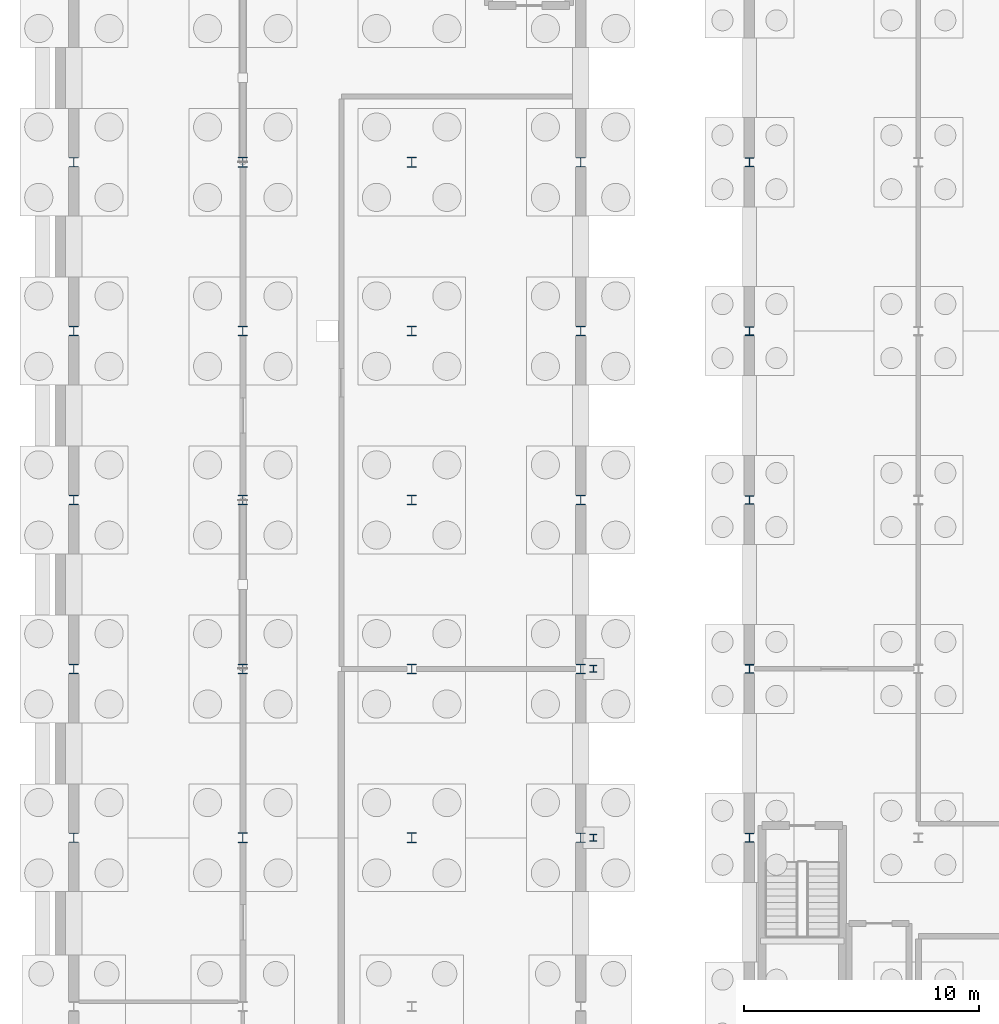
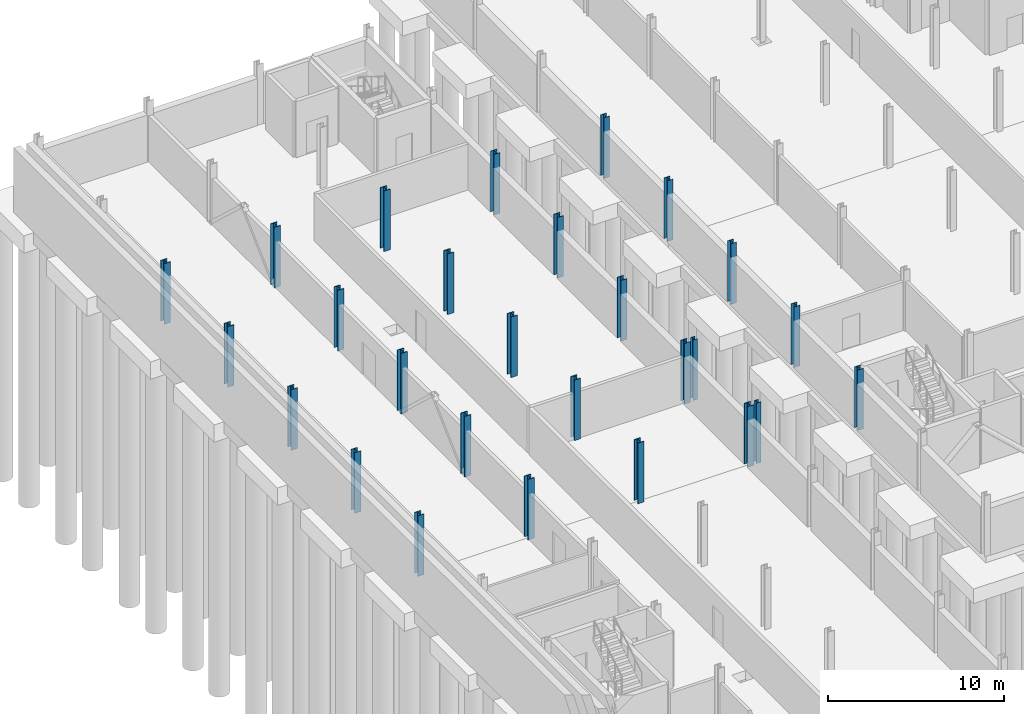
# One storey, part 15 of 50: 27 columns.
"""IFC4 building model written with IfcOpenShell, lengths in metres."""

import ifcopenshell
import ifcopenshell.guid

model = None  # the IFC model being written
_history = None  # IfcOwnerHistory: only IFC2X3 demands one
_inside = {}  # id of a spatial element -> (the spatial element, [elements in it])
_under = {}  # id of a project, library or spatial element -> (it, [spatial elements below it])
_declared = {}  # id of a project -> (the project, [libraries it declares])
_typed = {}  # id of a type object -> (the type object, [elements of that type])
_made_of = {}  # id of a material, layer set ... -> (it, [elements and type objects made of it])


def new_model(schema):
    """Start an empty IFC model of exactly this schema.

    Asked for "IFC4X3", IfcOpenShell would pick the latest addendum, in which some entities
    have other attributes; the version numbers below select the first issue.
    IFC2X3 requires an IfcOwnerHistory on every rooted entity: one is made here for all.
    """
    global model, _history
    if schema == "IFC4X3":
        model = ifcopenshell.file(schema_version=(4, 3, 0, 0))
    else:
        model = ifcopenshell.file(schema=schema)
    _inside.clear()
    _under.clear()
    _declared.clear()
    _typed.clear()
    _made_of.clear()
    _history = None
    if model.schema == "IFC2X3":
        org = make("IfcOrganization", Name="unknown")
        user = make(
            "IfcPersonAndOrganization",
            ThePerson=make("IfcPerson", FamilyName="unknown"),
            TheOrganization=org,
        )
        app = make(
            "IfcApplication",
            ApplicationDeveloper=org,
            Version="unknown",
            ApplicationFullName="unknown",
            ApplicationIdentifier="unknown",
        )
        _history = make(
            "IfcOwnerHistory",
            OwningUser=user,
            OwningApplication=app,
            ChangeAction="ADDED",
            CreationDate=0,
        )
    return model


def make(cls, **values):
    """One entity of the class cls with the attributes given. An attribute that is None is left unset."""
    return model.create_entity(
        cls, **{name: value for name, value in values.items() if value is not None}
    )


def rooted(cls, **values):
    """An entity with a GlobalId (a new one), such as an element, a storey or a relation."""
    return make(cls, GlobalId=ifcopenshell.guid.new(), OwnerHistory=_history, **values)


def si_unit(unit_type, name, prefix=None):
    """IfcSIUnit, for example si_unit("LENGTHUNIT", "METRE", prefix="MILLI")."""
    return make("IfcSIUnit", UnitType=unit_type, Prefix=prefix, Name=name)


def assignment(units):
    """IfcUnitAssignment: the units of a project."""
    return None if units is None else make("IfcUnitAssignment", Units=units)


def point(xyz):
    """IfcCartesianPoint."""
    return None if xyz is None else make("IfcCartesianPoint", Coordinates=xyz)


def direction(xyz):
    """IfcDirection."""
    return None if xyz is None else make("IfcDirection", DirectionRatios=xyz)


def frame(location, z_axis=None, x_axis=None):
    """IfcAxis2Placement3D, a coordinate frame: its origin and axes. An axis left out is left unset."""
    return make(
        "IfcAxis2Placement3D",
        Location=point(location),
        Axis=direction(z_axis),
        RefDirection=direction(x_axis),
    )


def frame_2d(location, x_axis=None):
    """IfcAxis2Placement2D, a coordinate frame in the plane: its origin and x axis."""
    return make(
        "IfcAxis2Placement2D", Location=point(location), RefDirection=direction(x_axis)
    )


def origin():
    """The frame at (0, 0, 0) with its axes left unset."""
    return frame((0.0, 0.0, 0.0))


def origin_2d():
    """The frame at (0, 0) in the plane with its x axis left unset."""
    return frame_2d((0.0, 0.0))


def place(relative_to, where):
    """IfcLocalPlacement: puts the frame where relative to a parent placement (None: the world)."""
    return make(
        "IfcLocalPlacement", PlacementRelTo=relative_to, RelativePlacement=where
    )


def context(
    kind, dimensions, precision=None, world=None, true_north=None, identifier=None
):
    """IfcGeometricRepresentationContext, for example the 3D "Model" context."""
    return make(
        "IfcGeometricRepresentationContext",
        ContextIdentifier=identifier,
        ContextType=kind,
        CoordinateSpaceDimension=dimensions,
        Precision=precision,
        WorldCoordinateSystem=world,
        TrueNorth=true_north,
    )


def subcontext(parent, identifier, kind, view, scale=None):
    """IfcGeometricRepresentationSubContext, for example "Body" below "Model"."""
    return make(
        "IfcGeometricRepresentationSubContext",
        ContextIdentifier=identifier,
        ContextType=kind,
        ParentContext=parent,
        TargetScale=scale,
        TargetView=view,
    )


def project(units=None, contexts=None):
    """IfcProject with its units and contexts."""
    return rooted(
        "IfcProject",
        Name="project",
        RepresentationContexts=contexts,
        UnitsInContext=assignment(units),
    )


def spatial(cls, under=None, at=None, **own):
    """A site, building, storey or space (cls), placed at a placement, below another one or the project."""
    s = rooted(cls, ObjectPlacement=at, **own)
    if under is not None:
        _under.setdefault(under.id(), (under, []))[1].append(s)
    return s


def profile(cls, at=None, kind="AREA", **sizes):
    """A parametric profile (cls). Its sizes go by their IFC names, for example OverallWidth=200.0."""
    return make(cls, ProfileType=kind, Position=at, **sizes)


def i_section(**sizes):
    """IfcIShapeProfileDef."""
    return profile("IfcIShapeProfileDef", **sizes)


def extrude(swept, where, along, depth):
    """IfcExtrudedAreaSolid: the profile swept, set in the frame where, extruded along a direction by depth."""
    return make(
        "IfcExtrudedAreaSolid",
        SweptArea=swept,
        Position=where,
        ExtrudedDirection=direction(along),
        Depth=depth,
    )


def shape(context_of_items, identifier, shape_type, items):
    """IfcShapeRepresentation: the items that make up one representation, for example the "Body"."""
    return make(
        "IfcShapeRepresentation",
        ContextOfItems=context_of_items,
        RepresentationIdentifier=identifier,
        RepresentationType=shape_type,
        Items=items,
    )


def material(Name=None, Category=None):
    """IfcMaterial."""
    return make("IfcMaterial", Name=Name, Category=Category)


def material_profile(
    of_material, cross_section, Name=None, Category=None, Priority=None
):
    """IfcMaterialProfile: a cross section and its material."""
    return make(
        "IfcMaterialProfile",
        Name=Name,
        Material=of_material,
        Profile=cross_section,
        Priority=Priority,
        Category=Category,
    )


def profile_set(profiles, Name=None, composite=None):
    """IfcMaterialProfileSet."""
    return make(
        "IfcMaterialProfileSet",
        Name=Name,
        MaterialProfiles=profiles,
        CompositeProfile=composite,
    )


def made_of(thing, what):
    """Note that an element or type object is made of a material, layer set ...; save() writes the relation."""
    if what is not None:
        _made_of.setdefault(what.id(), (what, []))[1].append(thing)
    return thing


def type_object(cls, material=None, **own):
    """A type object (cls), such as IfcWallType, which elements share."""
    return made_of(rooted(cls, **own), material)


def element(
    cls,
    number,
    at=None,
    inside=None,
    cuts=None,
    type_object=None,
    material=None,
    context=None,
    identifier="Body",
    shape_type=None,
    held_by="IfcProductDefinitionShape",
    body=None,
    shapes=None,
    **own,
):
    """One element of the class cls, such as IfcWall. Its Tag is "e" and its number.

    at: its placement. inside: the storey or other place that contains it. cuts: it is an
    opening in that element (IfcRelVoidsElement). A single representation is given by context,
    identifier, shape_type and body (its items); several are given by shapes. held_by: the class
    of the entity that holds the representations. save() writes the other relations.
    """
    e = rooted(cls, Tag="e%d" % number, ObjectPlacement=at, **own)
    if body is not None:
        shapes = [shape(context, identifier, shape_type, body)]
    if shapes is not None:
        e.Representation = make(held_by, Representations=shapes)
    if inside is not None:
        _inside.setdefault(inside.id(), (inside, []))[1].append(e)
    if cuts is not None:
        rooted(
            "IfcRelVoidsElement", RelatingBuildingElement=cuts, RelatedOpeningElement=e
        )
    if type_object is not None:
        _typed.setdefault(type_object.id(), (type_object, []))[1].append(e)
    return made_of(e, material)


def aggregate(whole, parts):
    """IfcRelAggregates: a whole, such as a stair, and the parts it consists of."""
    return rooted("IfcRelAggregates", RelatingObject=whole, RelatedObjects=parts)


def save(model, path):
    """Write the relations noted so far, then the file.

    IfcRelAggregates (storeys below a building ...), IfcRelContainedInSpatialStructure (elements
    in a storey), IfcRelDefinesByType, IfcRelAssociatesMaterial and IfcRelDeclares: one each for
    every whole, place, type object, material and project.
    """
    for whole, parts in _under.values():
        aggregate(whole, parts)
    for where, things in _inside.values():
        rooted(
            "IfcRelContainedInSpatialStructure",
            RelatedElements=things,
            RelatingStructure=where,
        )
    for kind, things in _typed.values():
        rooted("IfcRelDefinesByType", RelatedObjects=things, RelatingType=kind)
    for what, things in _made_of.values():
        rooted("IfcRelAssociatesMaterial", RelatedObjects=things, RelatingMaterial=what)
    for by, libraries in _declared.values():
        rooted("IfcRelDeclares", RelatingContext=by, RelatedDefinitions=libraries)
    model.write(path)


model = new_model("IFC4")

# Units and contexts
model_context = context("Model", 3, precision=1e-05, world=origin(), true_north=direction((0.0, 1.0)))
body_context = subcontext(model_context, "Body", "Model", "MODEL_VIEW")
ifc_project = project(units=[si_unit("LENGTHUNIT", "METRE"), si_unit("AREAUNIT", "SQUARE_METRE"), si_unit("VOLUMEUNIT", "CUBIC_METRE"), si_unit("PLANEANGLEUNIT", "RADIAN"), si_unit("MASSUNIT", "GRAM", prefix="KILO")], contexts=[model_context])

# Site, building, storey
site_placement = place(None, origin())
site = spatial("IfcSite", under=ifc_project, at=site_placement, CompositionType="ELEMENT")
building_placement = place(site_placement, origin())
building = spatial("IfcBuilding", under=site, at=building_placement, Name="Narikvali Park Central Library", CompositionType="ELEMENT")
storey_placement = place(building_placement, frame((0.0, 0.0, -4.199951171875)))
storey = spatial("IfcBuildingStorey", under=building, at=storey_placement, Name="B1", CompositionType="ELEMENT", Elevation=-4.199951171875)

# Columns
ifc_material = material(Name="Steel S355", Category="steel")
ifc_material_profile_1 = material_profile(ifc_material, i_section(OverallWidth=0.3759765625, OverallDepth=0.3798828125, WebThickness=0.0166015625, FlangeThickness=0.026611328125, FilletRadius=0.014892578125, at=origin_2d()), Name="HD 360x237")
ifc_profile_set_1 = profile_set([ifc_material_profile_1], Name="Steel S355")
column_type_1 = type_object("IfcColumnType", Name="Atrium Edge Column HD360x237", PredefinedType="COLUMN", material=ifc_profile_set_1)
for number, where, z_axis, x_axis, name in (
    (1, (28.800048828125, 64.800048828125, 0.0), (0.0, 0.0, 1.0), (1.0, 0.0, 0.0), "V4 B1 Column (28.8,64.8)"),
    (2, (28.800048828125, 72.0, 0.0), (0.0, 0.0, 1.0), (1.0, 0.0, 0.0), "V4 B1 Column (28.8,72.0)"),
    (3, (28.800048828125, 79.199951171875, 0.0), (0.0, 0.0, 1.0), (1.0, 0.0, 0.0), "V4 B1 Column (28.8,79.2)"),
    (4, (28.800048828125, 86.39990234375, 0.0), (0.0, 0.0, 1.0), (1.0, 0.0, 0.0), "V4 B1 Column (28.8,86.4)"),
    (5, (28.800048828125, 93.60009765625, 0.0), (0.0, 0.0, 1.0), (1.0, 0.0, 0.0), "V4 B1 Column (28.8,93.6)"),
):
    element("IfcColumn", number, at=place(storey_placement, frame(where, z_axis=z_axis, x_axis=x_axis)), inside=storey, type_object=column_type_1, Name=name, PredefinedType="COLUMN", context=body_context, shape_type="SweptSolid", body=[
        extrude(i_section(OverallWidth=0.3759765625, OverallDepth=0.3798828125, WebThickness=0.0166015625, FlangeThickness=0.026611328125, FilletRadius=0.014892578125, at=origin_2d()), origin(), (0.0, 0.0, 1.0), 4.199951171875),
    ])
ifc_material_profile_2 = material_profile(ifc_material, i_section(OverallWidth=0.412109375, OverallDepth=0.43505859375, WebThickness=0.02490234375, FlangeThickness=0.0419921875, FilletRadius=0.014892578125, at=origin_2d()), Name="HD 400x463")
ifc_profile_set_2 = profile_set([ifc_material_profile_2], Name="Steel S355")
column_type_2 = type_object("IfcColumnType", Name="Heavy Archive Column HD400x463", PredefinedType="COLUMN", material=ifc_profile_set_2)
for number, where, z_axis, x_axis, name in (
    (6, (7.199951171875, 64.800048828125, 0.0), (0.0, 0.0, 1.0), (1.0, 0.0, 0.0), "V5 B1 Column (7.2,64.8)"),
    (7, (7.199951171875, 72.0, 0.0), (0.0, 0.0, 1.0), (1.0, 0.0, 0.0), "V5 B1 Column (7.2,72.0)"),
    (8, (7.199951171875, 79.199951171875, 0.0), (0.0, 0.0, 1.0), (1.0, 0.0, 0.0), "V5 B1 Column (7.2,79.2)"),
    (9, (7.199951171875, 86.39990234375, 0.0), (0.0, 0.0, 1.0), (1.0, 0.0, 0.0), "V5 B1 Column (7.2,86.4)"),
    (10, (7.199951171875, 93.60009765625, 0.0), (0.0, 0.0, 1.0), (1.0, 0.0, 0.0), "V5 B1 Column (7.2,93.6)"),
    (11, (14.39990234375, 64.800048828125, 0.0), (0.0, 0.0, 1.0), (1.0, 0.0, 0.0), "V5 B1 Column (14.4,64.8)"),
    (12, (14.39990234375, 72.0, 0.0), (0.0, 0.0, 1.0), (1.0, 0.0, 0.0), "V5 B1 Column (14.4,72.0)"),
    (13, (14.39990234375, 79.199951171875, 0.0), (0.0, 0.0, 1.0), (1.0, 0.0, 0.0), "V5 B1 Column (14.4,79.2)"),
    (14, (14.39990234375, 86.39990234375, 0.0), (0.0, 0.0, 1.0), (1.0, 0.0, 0.0), "V5 B1 Column (14.4,86.4)"),
    (15, (14.39990234375, 93.60009765625, 0.0), (0.0, 0.0, 1.0), (1.0, 0.0, 0.0), "V5 B1 Column (14.4,93.6)"),
):
    element("IfcColumn", number, at=place(storey_placement, frame(where, z_axis=z_axis, x_axis=x_axis)), inside=storey, type_object=column_type_2, Name=name, PredefinedType="COLUMN", context=body_context, shape_type="SweptSolid", body=[
        extrude(i_section(OverallWidth=0.412109375, OverallDepth=0.43505859375, WebThickness=0.02490234375, FlangeThickness=0.0419921875, FilletRadius=0.014892578125, at=origin_2d()), origin(), (0.0, 0.0, 1.0), 4.199951171875),
    ])
ifc_material_profile_3 = material_profile(ifc_material, i_section(OverallWidth=0.406005859375, OverallDepth=0.416015625, WebThickness=0.021484375, FlangeThickness=0.034423828125, FilletRadius=0.014892578125, at=origin_2d()), Name="HD 400x382")
ifc_profile_set_3 = profile_set([ifc_material_profile_3], Name="Steel S355")
column_type_3 = type_object("IfcColumnType", Name="Steel Column HD400x382", PredefinedType="COLUMN", material=ifc_profile_set_3)
for number, where, z_axis, x_axis, name in (
    (16, (0.0, 64.800048828125, 0.0), (0.0, 0.0, 1.0), (1.0, 0.0, 0.0), "V5 B1 Column (0.0,64.8)"),
    (17, (0.0, 72.0, 0.0), (0.0, 0.0, 1.0), (1.0, 0.0, 0.0), "V5 B1 Column (0.0,72.0)"),
    (18, (0.0, 79.199951171875, 0.0), (0.0, 0.0, 1.0), (1.0, 0.0, 0.0), "V5 B1 Column (0.0,79.2)"),
    (19, (0.0, 86.39990234375, 0.0), (0.0, 0.0, 1.0), (1.0, 0.0, 0.0), "V5 B1 Column (0.0,86.4)"),
    (20, (0.0, 93.60009765625, 0.0), (0.0, 0.0, 1.0), (1.0, 0.0, 0.0), "V5 B1 Column (0.0,93.6)"),
    (21, (21.60009765625, 64.800048828125, 0.0), (0.0, 0.0, 1.0), (1.0, 0.0, 0.0), "V5 B1 Column (21.6,64.8)"),
    (22, (21.60009765625, 72.0, 0.0), (0.0, 0.0, 1.0), (1.0, 0.0, 0.0), "V5 B1 Column (21.6,72.0)"),
    (23, (21.60009765625, 79.199951171875, 0.0), (0.0, 0.0, 1.0), (1.0, 0.0, 0.0), "V5 B1 Column (21.6,79.2)"),
    (24, (21.60009765625, 86.39990234375, 0.0), (0.0, 0.0, 1.0), (1.0, 0.0, 0.0), "V5 B1 Column (21.6,86.4)"),
    (25, (21.60009765625, 93.60009765625, 0.0), (0.0, 0.0, 1.0), (1.0, 0.0, 0.0), "V5 B1 Column (21.6,93.6)"),
):
    element("IfcColumn", number, at=place(storey_placement, frame(where, z_axis=z_axis, x_axis=x_axis)), inside=storey, type_object=column_type_3, Name=name, PredefinedType="COLUMN", context=body_context, shape_type="SweptSolid", body=[
        extrude(i_section(OverallWidth=0.406005859375, OverallDepth=0.416015625, WebThickness=0.021484375, FlangeThickness=0.034423828125, FilletRadius=0.014892578125, at=origin_2d()), origin(), (0.0, 0.0, 1.0), 4.199951171875),
    ])
ifc_material_profile_4 = material_profile(ifc_material, i_section(OverallWidth=0.300048828125, OverallDepth=0.300048828125, WebThickness=0.010986328125, FlangeThickness=0.01904296875, FilletRadius=0.027099609375, at=origin_2d()), Name="HEB 300")
ifc_profile_set_4 = profile_set([ifc_material_profile_4], Name="Steel S355")
column_type_4 = type_object("IfcColumnType", Name="Steel Column HEB300", PredefinedType="COLUMN", material=ifc_profile_set_4)
for number, where, z_axis, x_axis, name in (
    (26, (22.14990234375, 64.800048828125, 0.0), (0.0, 0.0, 1.0), (1.0, 0.0, 0.0), "BRG-1 Bridge Pier B1"),
    (27, (22.14990234375, 72.0, 0.0), (0.0, 0.0, 1.0), (1.0, 0.0, 0.0), "BRG-1 Bridge Pier B1"),
):
    element("IfcColumn", number, at=place(storey_placement, frame(where, z_axis=z_axis, x_axis=x_axis)), inside=storey, type_object=column_type_4, Name=name, PredefinedType="COLUMN", context=body_context, shape_type="SweptSolid", body=[
        extrude(i_section(OverallWidth=0.300048828125, OverallDepth=0.300048828125, WebThickness=0.010986328125, FlangeThickness=0.01904296875, FilletRadius=0.027099609375, at=origin_2d()), origin(), (0.0, 0.0, 1.0), 4.199951171875),
    ])

save(model, "model.ifc")
